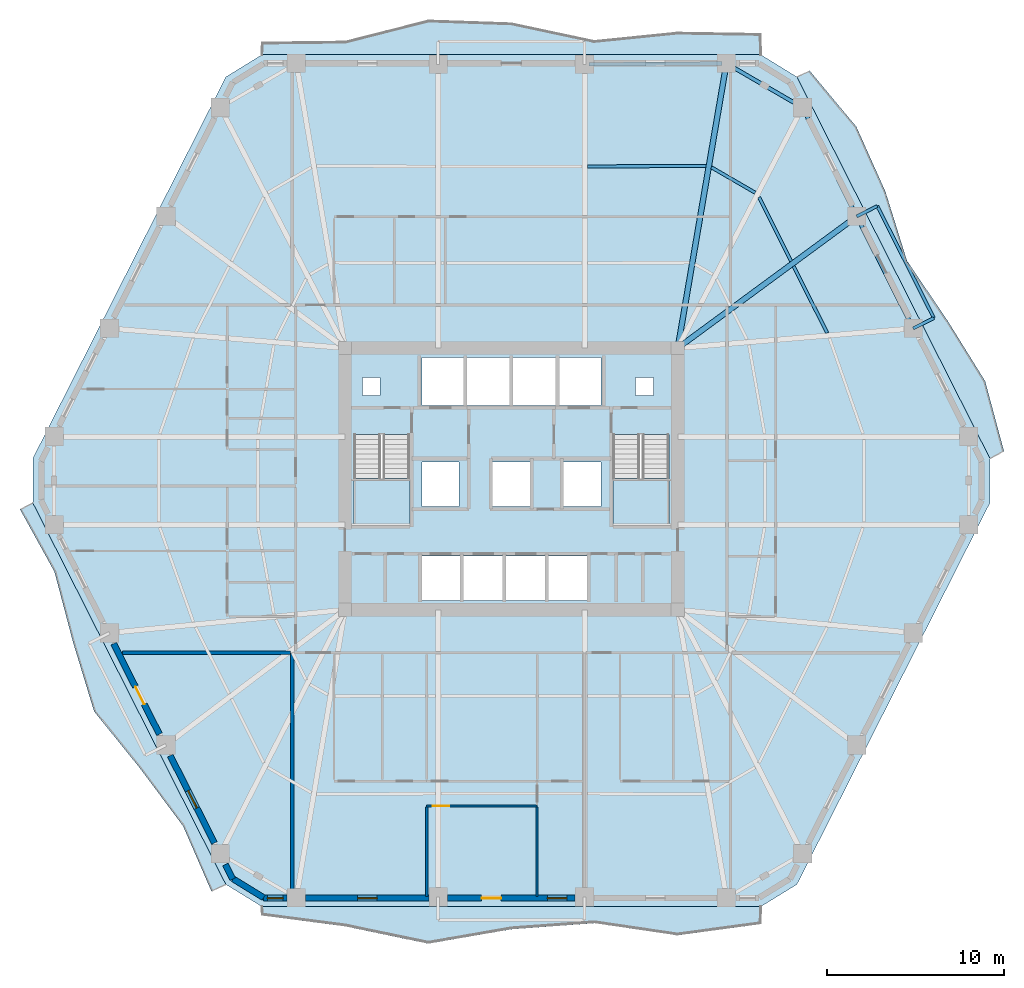
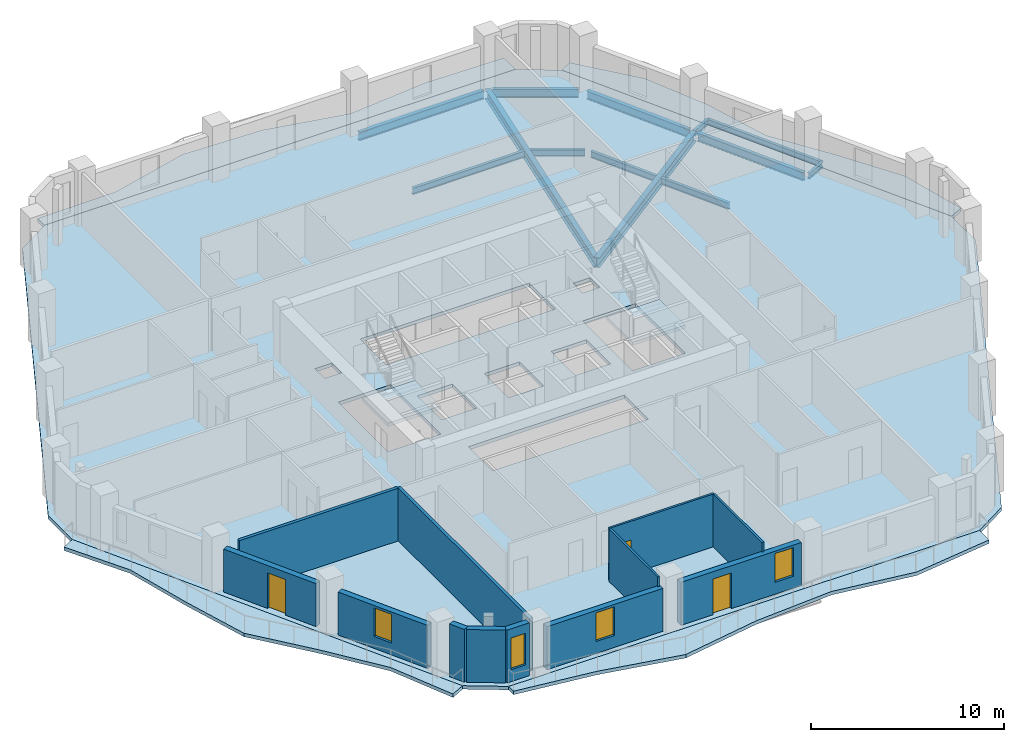
# One storey, part 3 of 11: 13 beams, 12 walls, 7 slabs, 4 windows, 3 doors, 7 openings, 2 elements without a shape of their own.
"""IFC4 building model written with IfcOpenShell, lengths in metres."""

from ifc_helpers import new_model, si_unit, direction, frame, frame_2d, origin, origin_2d, place, context, subcontext, project, spatial, polyline, rectangle, i_section, outline, extrude, material, layer, layer_set, material_profile, profile_set, type_object, element, fill, aggregate, save


model = new_model("IFC4")

# Units and contexts
model_context = context("Model", 3, precision=1e-05, world=origin(), true_north=direction((0.0, 1.0)))
body_context = subcontext(model_context, "Body", "Model", "MODEL_VIEW")
ifc_project = project(units=[si_unit("LENGTHUNIT", "METRE"), si_unit("AREAUNIT", "SQUARE_METRE"), si_unit("VOLUMEUNIT", "CUBIC_METRE"), si_unit("PLANEANGLEUNIT", "RADIAN"), si_unit("MASSUNIT", "GRAM", prefix="KILO")], contexts=[model_context])

# Site, building, storey
site_placement = place(None, origin())
site = spatial("IfcSite", under=ifc_project, at=site_placement, CompositionType="ELEMENT")
building_placement = place(site_placement, origin())
building = spatial("IfcBuilding", under=site, at=building_placement, Name="Cinnabar Lancet Tower", CompositionType="ELEMENT")
storey_placement = place(building_placement, frame((0.0, 0.0, 90.64990234375)))
storey = spatial("IfcBuildingStorey", under=building, at=storey_placement, Name="L23", CompositionType="ELEMENT", Elevation=90.64990234375)

# Beams
ifc_material_1 = material(Name="Structural steel S355", Category="steel")
ifc_material_profile_1 = material_profile(ifc_material_1, i_section(OverallWidth=0.177978515625, OverallDepth=0.406494140625, WebThickness=0.0078125, FlangeThickness=0.0126953125, FilletRadius=0.01025390625, at=origin_2d()), Name="UKB 406x178x60")
ifc_profile_set_1 = profile_set([ifc_material_profile_1], Name="Structural steel S355")
beam_type_1 = type_object("IfcBeamType", Name="STR-BM-JST-406", PredefinedType="JOIST", material=ifc_profile_set_1)
beam_1_placement = place(storey_placement, frame((50.194091796875, 34.1298828125, -0.4228515625), z_axis=(-0.450810882677, 0.892619486713, 0.0), x_axis=(-0.892619486713, -0.450810882677, 0.0)))
element("IfcBeam", 1, at=beam_1_placement, inside=storey, type_object=beam_type_1, Name="L23 Secondary Floor Joist 27", PredefinedType="JOIST", context=body_context, shape_type="SweptSolid", body=[
    extrude(i_section(OverallWidth=0.177978515625, OverallDepth=0.406494140625, WebThickness=0.0078125, FlangeThickness=0.0126953125, FilletRadius=0.01025390625, at=origin_2d()), origin(), (0.0, 0.0, 1.0), 4.20361328125),
])
beam_2_placement = place(storey_placement, frame((48.158935546875, 38.160888671875, -0.4228515625), z_axis=(-0.445714564636, 0.895175137541, 0.0), x_axis=(-0.895175137541, -0.445714564636, 0.0)))
element("IfcBeam", 2, at=beam_2_placement, inside=storey, type_object=beam_type_1, Name="L23 Secondary Floor Joist 29", PredefinedType="JOIST", context=body_context, shape_type="SweptSolid", body=[
    extrude(i_section(OverallWidth=0.177978515625, OverallDepth=0.406494140625, WebThickness=0.0078125, FlangeThickness=0.0126953125, FilletRadius=0.01025390625, at=origin_2d()), origin(), (0.0, 0.0, 1.0), 4.040771484375),
])
beam_3_placement = place(storey_placement, frame((46.139892578125, 42.02490234375, -0.4228515625), z_axis=(-0.865054959429, 0.501677104489, 0.0), x_axis=(-0.501677104489, -0.865054959429, 0.0)))
element("IfcBeam", 3, at=beam_3_placement, inside=storey, type_object=beam_type_1, Name="L23 Secondary Floor Joist 31", PredefinedType="JOIST", context=body_context, shape_type="SweptSolid", body=[
    extrude(i_section(OverallWidth=0.177978515625, OverallDepth=0.406494140625, WebThickness=0.0078125, FlangeThickness=0.0126953125, FilletRadius=0.01025390625, at=origin_2d()), origin(), (0.0, 0.0, 1.0), 2.852783203125),
])
beam_4_placement = place(storey_placement, frame((43.3740234375, 43.537109375, -0.4228515625), z_axis=(-0.999988425549, -0.004811316646, 0.0), x_axis=(0.004811316646, -0.999988425549, 0.0)))
element("IfcBeam", 4, at=beam_4_placement, inside=storey, type_object=beam_type_1, Name="L23 Secondary Floor Joist 33", PredefinedType="JOIST", context=body_context, shape_type="SweptSolid", body=[
    extrude(i_section(OverallWidth=0.177978515625, OverallDepth=0.406494140625, WebThickness=0.0078125, FlangeThickness=0.0126953125, FilletRadius=0.01025390625, at=origin_2d()), origin(), (0.0, 0.0, 1.0), 6.697998046875),
])
ifc_material_2 = material(Name="Structural steel S355", Category="steel")
ifc_material_profile_2 = material_profile(ifc_material_2, i_section(OverallWidth=0.209228515625, OverallDepth=0.533203125, WebThickness=0.010009765625, FlangeThickness=0.015625, FilletRadius=0.0126953125, at=origin_2d()), Name="UKB 533x210x92")
ifc_profile_set_2 = profile_set([ifc_material_profile_2], Name="Structural steel S355")
beam_type_2 = type_object("IfcBeamType", Name="STR-BM-SPN-533", PredefinedType="SPANDREL", material=ifc_profile_set_2)
beam_5_placement = place(storey_placement, frame((54.93310546875, 34.60302734375, -0.48681640625), z_axis=(-0.450703143926, 0.892673891214, 0.0), x_axis=(-0.892673891214, -0.450703143926, 0.0)))
element("IfcBeam", 5, at=beam_5_placement, inside=storey, type_object=beam_type_2, Name="L23 Perimeter Spandrel 10", PredefinedType="SPANDREL", context=body_context, shape_type="SweptSolid", body=[
    extrude(i_section(OverallWidth=0.209228515625, OverallDepth=0.533203125, WebThickness=0.010009765625, FlangeThickness=0.015625, FilletRadius=0.0126953125, at=origin_2d()), origin(), (0.0, 0.0, 1.0), 6.570068359375),
])
beam_6_placement = place(storey_placement, frame((51.748046875, 40.9150390625, -0.48681640625), z_axis=(-0.445953050023, 0.89505635419, 0.0), x_axis=(-0.89505635419, -0.445953050023, 0.0)))
element("IfcBeam", 6, at=beam_6_placement, inside=storey, type_object=beam_type_2, Name="L23 Perimeter Spandrel 11", PredefinedType="SPANDREL", context=body_context, shape_type="SweptSolid", body=[
    extrude(i_section(OverallWidth=0.209228515625, OverallDepth=0.533203125, WebThickness=0.010009765625, FlangeThickness=0.015625, FilletRadius=0.0126953125, at=origin_2d()), origin(), (0.0, 0.0, 1.0), 6.35498046875),
])
beam_7_placement = place(storey_placement, frame((48.5869140625, 46.951904296875, -0.48681640625), z_axis=(-0.865147238596, 0.501517951374, 0.0), x_axis=(-0.501517951374, -0.865147238596, 0.0)))
element("IfcBeam", 7, at=beam_7_placement, inside=storey, type_object=beam_type_2, Name="L23 Perimeter Spandrel 12", PredefinedType="SPANDREL", context=body_context, shape_type="SweptSolid", body=[
    extrude(i_section(OverallWidth=0.209228515625, OverallDepth=0.533203125, WebThickness=0.010009765625, FlangeThickness=0.015625, FilletRadius=0.0126953125, at=origin_2d()), origin(), (0.0, 0.0, 1.0), 4.454833984375),
])
beam_8_placement = place(storey_placement, frame((44.26708984375, 49.30908203125, -0.48681640625), z_axis=(-0.99997856757, -0.006547090947, 0.0), x_axis=(0.006547090947, -0.99997856757, 0.0)))
element("IfcBeam", 8, at=beam_8_placement, inside=storey, type_object=beam_type_2, Name="L23 Perimeter Spandrel 13", PredefinedType="SPANDREL", context=body_context, shape_type="SweptSolid", body=[
    extrude(i_section(OverallWidth=0.209228515625, OverallDepth=0.533203125, WebThickness=0.010009765625, FlangeThickness=0.015625, FilletRadius=0.0126953125, at=origin_2d()), origin(), (0.0, 0.0, 1.0), 7.495361328125),
])
ifc_material_3 = material(Name="Structural steel S355", Category="steel")
ifc_material_profile_3 = material_profile(ifc_material_3, i_section(OverallWidth=0.30712890625, OverallDepth=0.6201171875, WebThickness=0.01416015625, FlangeThickness=0.023681640625, FilletRadius=0.0166015625, at=origin_2d()), Name="UKB 610x305x179")
ifc_profile_set_3 = profile_set([ifc_material_profile_3], Name="Structural steel S355")
beam_type_3 = type_object("IfcBeamType", Name="STR-BM-UKB610-179", PredefinedType="BEAM", material=ifc_profile_set_3)
beam_9_placement = place(storey_placement, frame((51.85888671875, 40.69091796875, -0.52978515625), z_axis=(-0.805600633978, -0.592458959367, 0.0), x_axis=(0.592458959367, -0.805600633978, 0.0)))
element("IfcBeam", 9, at=beam_9_placement, inside=storey, type_object=beam_type_3, Name="L23 Corner Collector Girder 3", PredefinedType="BEAM", context=body_context, shape_type="SweptSolid", body=[
    extrude(i_section(OverallWidth=0.30712890625, OverallDepth=0.6201171875, WebThickness=0.01416015625, FlangeThickness=0.023681640625, FilletRadius=0.0166015625, at=origin_2d()), origin(), (0.0, 0.0, 1.0), 12.517333984375),
])
beam_10_placement = place(storey_placement, frame((44.51708984375, 49.31103515625, -0.52978515625), z_axis=(-0.168553945835, -0.985692430398, 0.0), x_axis=(0.985692430398, -0.168553945835, 0.0)))
element("IfcBeam", 10, at=beam_10_placement, inside=storey, type_object=beam_type_3, Name="L23 Primary Floor Girder 13", PredefinedType="BEAM", context=body_context, shape_type="SweptSolid", body=[
    extrude(i_section(OverallWidth=0.30712890625, OverallDepth=0.6201171875, WebThickness=0.01416015625, FlangeThickness=0.023681640625, FilletRadius=0.0166015625, at=origin_2d()), origin(), (0.0, 0.0, 1.0), 16.268798828125),
])
ifc_material_4 = material(Name="Structural steel S355", Category="steel")
ifc_material_profile_4 = material_profile(ifc_material_4, i_section(OverallWidth=0.17138671875, OverallDepth=0.35498046875, WebThickness=0.00732421875, FlangeThickness=0.011474609375, FilletRadius=0.01025390625, at=origin_2d()), Name="UKB 356x171x51")
ifc_profile_set_4 = profile_set([ifc_material_profile_4], Name="Structural steel S355")
beam_type_4 = type_object("IfcBeamType", Name="STR-BM-WAV-OUT", PredefinedType="BEAM", material=ifc_profile_set_4)
for number, where, z_axis, x_axis, name in (
    (11, (55.0458984375, 34.3798828125, -0.39697265625), (0.892238560088, 0.451564338597, 0.0), (-0.451564338597, 0.892238560088, 0.0), "L23 Face 3 Balcony Outlooker A"),
    (12, (51.85888671875, 40.69091796875, -0.39697265625), (0.892238560088, 0.451564338597, 0.0), (-0.451564338597, 0.892238560088, 0.0), "L23 Face 3 Balcony Outlooker B"),
):
    element("IfcBeam", number, at=place(storey_placement, frame(where, z_axis=z_axis, x_axis=x_axis)), inside=storey, type_object=beam_type_4, Name=name, PredefinedType="BEAM", context=body_context, shape_type="SweptSolid", body=[
        extrude(i_section(OverallWidth=0.17138671875, OverallDepth=0.35498046875, WebThickness=0.00732421875, FlangeThickness=0.011474609375, FilletRadius=0.01025390625, at=origin_2d()), origin(), (0.0, 0.0, 1.0), 1.30029296875),
    ])
ifc_material_5 = material(Name="Structural steel S355", Category="steel")
ifc_material_profile_5 = material_profile(ifc_material_5, i_section(OverallWidth=0.17138671875, OverallDepth=0.35498046875, WebThickness=0.00732421875, FlangeThickness=0.011474609375, FilletRadius=0.01025390625, at=origin_2d()), Name="UKB 356x171x51")
ifc_profile_set_5 = profile_set([ifc_material_profile_5], Name="Structural steel S355")
beam_type_5 = type_object("IfcBeamType", Name="STR-BM-WAV-TRIM", PredefinedType="SPANDREL", material=ifc_profile_set_5)
beam_11_placement = place(storey_placement, frame((56.2060546875, 34.967041015625, -0.39697265625), z_axis=(-0.450773692627, 0.892638268301, 0.0), x_axis=(-0.892638268301, -0.450773692627, 0.0)))
element("IfcBeam", 13, at=beam_11_placement, inside=storey, type_object=beam_type_5, Name="L23 Face 3 Balcony Edge Trimmer", PredefinedType="SPANDREL", context=body_context, shape_type="SweptSolid", body=[
    extrude(i_section(OverallWidth=0.17138671875, OverallDepth=0.35498046875, WebThickness=0.00732421875, FlangeThickness=0.011474609375, FilletRadius=0.01025390625, at=origin_2d()), origin(), (0.0, 0.0, 1.0), 7.070068359375),
])

# Stair, slab
ifc_material_6 = material(Name="Concrete C40/50", Category="concrete")
stair_type = type_object("IfcStairType", Name="ST-CORE", PredefinedType="HALF_TURN_STAIR", material=ifc_material_6)
stair_1_placement = place(storey_placement, origin())
stair_1 = element("IfcStair", 14, at=stair_1_placement, inside=storey, type_object=stair_type, Name="L23 ST-1", PredefinedType="HALF_TURN_STAIR")
ifc_material_7 = material(Name="Concrete C40/50", Category="concrete")
ifc_layer_1 = layer(ifc_material_7, 0.199951171875)
ifc_layer_set_1 = layer_set([ifc_layer_1], Name="Concrete C40/50")
slab_type_1 = type_object("IfcSlabType", Name="LANDING-CORE", PredefinedType="LANDING", material=ifc_layer_set_1)
slab_1_placement = place(storey_placement, frame((0.0, 0.0, 1.5751953125)))
slab_1 = element("IfcSlab", 15, at=slab_1_placement, type_object=slab_type_1, Name="ST-1 landing 1", PredefinedType="LANDING", context=body_context, shape_type="SweptSolid", body=[
    extrude(outline(polyline([(23.52490234375, 25.925048828125), (23.52490234375, 23.25), (26.675048828125, 23.25), (26.675048828125, 25.925048828125), (23.52490234375, 25.925048828125)])), origin(), (0.0, 0.0, 1.0), 0.199951171875),
])
aggregate(stair_1, [slab_1])

stair_2_placement = place(storey_placement, origin())
stair_2 = element("IfcStair", 16, at=stair_2_placement, inside=storey, type_object=stair_type, Name="L23 ST-2", PredefinedType="HALF_TURN_STAIR")
slab_2_placement = place(storey_placement, frame((0.0, 0.0, 1.5751953125)))
slab_2 = element("IfcSlab", 17, at=slab_2_placement, type_object=slab_type_1, Name="ST-2 landing 1", PredefinedType="LANDING", context=body_context, shape_type="SweptSolid", body=[
    extrude(outline(polyline([(38.125, 25.925048828125), (38.125, 23.25), (41.27490234375, 23.25), (41.27490234375, 25.925048828125), (38.125, 25.925048828125)])), origin(), (0.0, 0.0, 1.0), 0.199951171875),
])
aggregate(stair_2, [slab_2])

# Slabs
ifc_material_8 = material(Name="Concrete C40/50", Category="concrete")
ifc_layer_2 = layer(ifc_material_8, 0.219970703125)
ifc_layer_set_2 = layer_set([ifc_layer_2], Name="Concrete C40/50")
slab_type_2 = type_object("IfcSlabType", Name="STR-SLB-FLR-220", PredefinedType="FLOOR", material=ifc_layer_set_2)
slab_3_placement = place(storey_placement, frame((0.0, 0.0, -0.219970703125)))
element("IfcSlab", 18, at=slab_3_placement, inside=storey, type_object=slab_type_2, Name="L23 Structural Floor Slab", PredefinedType="FLOOR", context=body_context, shape_type="SweptSolid", body=[
    extrude(outline(polyline([(16.31201171875, 3.049072265625), (18.343994140625, 1.800048828125), (46.4560546875, 1.800048828125), (48.488037109375, 3.049072265625), (59.367919921875, 24.551025390625), (59.367919921875, 27.049072265625), (48.488037109375, 48.551025390625), (46.4560546875, 49.800048828125), (18.343994140625, 49.800048828125), (16.31201171875, 48.551025390625), (5.431884765625, 27.049072265625), (5.431884765625, 24.551025390625), (16.31201171875, 3.049072265625)]), holes=[polyline([(23.52490234375, 23.25), (26.675048828125, 23.25), (26.675048828125, 28.3994140625), (23.52490234375, 28.3994140625), (23.52490234375, 23.25)]), polyline([(38.125, 23.25), (41.27490234375, 23.25), (41.27490234375, 28.3994140625), (38.125, 28.3994140625), (38.125, 23.25)]), polyline([(27.35009765625, 30.050048828125), (37.449951171875, 30.050048828125), (37.449951171875, 32.75), (27.35009765625, 32.75), (27.35009765625, 30.050048828125)]), polyline([(27.35009765625, 19.050048828125), (36.64990234375, 19.050048828125), (36.64990234375, 21.550048828125), (27.35009765625, 21.550048828125), (27.35009765625, 19.050048828125)]), polyline([(27.35009765625, 24.35009765625), (29.449951171875, 24.35009765625), (29.449951171875, 26.85009765625), (27.35009765625, 26.85009765625), (27.35009765625, 24.35009765625)]), polyline([(35.35009765625, 24.35009765625), (37.449951171875, 24.35009765625), (37.449951171875, 26.85009765625), (35.35009765625, 26.85009765625), (35.35009765625, 24.35009765625)]), polyline([(31.35009765625, 24.35009765625), (33.449951171875, 24.35009765625), (33.449951171875, 26.85009765625), (31.35009765625, 26.85009765625), (31.35009765625, 24.35009765625)]), polyline([(24.0, 30.60009765625), (25.0, 30.60009765625), (25.0, 31.60009765625), (24.0, 31.60009765625), (24.0, 30.60009765625)]), polyline([(39.39990234375, 30.60009765625), (40.39990234375, 30.60009765625), (40.39990234375, 31.60009765625), (39.39990234375, 31.60009765625), (39.39990234375, 30.60009765625)])]), origin(), (0.0, 0.0, 1.0), 0.219970703125),
])
ifc_material_9 = material(Name="Concrete C45/55", Category="concrete")
ifc_layer_3 = layer(ifc_material_9, 0.219970703125)
ifc_layer_set_3 = layer_set([ifc_layer_3], Name="Concrete C45/55")
slab_type_3 = type_object("IfcSlabType", Name="STR-SLB-WAV-220", PredefinedType="FLOOR", material=ifc_layer_set_3)
slab_4_placement = place(storey_placement, frame((0.0, 0.0, -0.219970703125)))
element("IfcSlab", 19, at=slab_4_placement, inside=storey, type_object=slab_type_3, Name="L23 Face 1 Undulating Wave Balcony Slab", PredefinedType="FLOOR", context=body_context, shape_type="SweptSolid", body=[
    extrude(outline(polyline([(18.343994140625, 1.800048828125), (18.343994140625, 1.300048828125), (23.029052734375, 0.68701171875), (27.715087890625, -0.2890625), (32.39990234375, 0.52197265625), (37.0849609375, 0.865966796875), (41.77099609375, 0.180908203125), (46.4560546875, 0.81494140625), (46.4560546875, 1.800048828125), (18.343994140625, 1.800048828125)])), origin(), (0.0, 0.0, 1.0), 0.219970703125),
])
slab_5_placement = place(storey_placement, frame((0.0, 0.0, -0.219970703125)))
element("IfcSlab", 20, at=slab_5_placement, inside=storey, type_object=slab_type_3, Name="L23 Face 3 Undulating Wave Balcony Slab", PredefinedType="FLOOR", context=body_context, shape_type="SweptSolid", body=[
    extrude(outline(polyline([(59.367919921875, 27.049072265625), (60.157958984375, 27.448974609375), (59.092041015625, 31.410888671875), (56.964111328125, 34.8349609375), (54.69091796875, 38.18603515625), (53.47998046875, 42.073974609375), (51.8369140625, 45.743896484375), (49.195068359375, 48.908935546875), (48.488037109375, 48.551025390625), (59.367919921875, 27.049072265625)])), origin(), (0.0, 0.0, 1.0), 0.219970703125),
])
slab_6_placement = place(storey_placement, frame((0.0, 0.0, -0.219970703125)))
element("IfcSlab", 21, at=slab_6_placement, inside=storey, type_object=slab_type_3, Name="L23 Face 4 Undulating Wave Balcony Slab", PredefinedType="FLOOR", context=body_context, shape_type="SweptSolid", body=[
    extrude(outline(polyline([(46.4560546875, 49.800048828125), (46.4560546875, 50.991943359375), (41.77099609375, 51.072021484375), (37.0849609375, 50.60302734375), (32.39990234375, 51.60009765625), (27.715087890625, 51.758056640625), (23.029052734375, 50.56591796875), (18.343994140625, 50.508056640625), (18.343994140625, 49.800048828125), (46.4560546875, 49.800048828125)])), origin(), (0.0, 0.0, 1.0), 0.219970703125),
])
slab_7_placement = place(storey_placement, frame((0.0, 0.0, -0.219970703125)))
element("IfcSlab", 22, at=slab_7_placement, inside=storey, type_object=slab_type_3, Name="L23 Face 6 Undulating Wave Balcony Slab", PredefinedType="FLOOR", context=body_context, shape_type="SweptSolid", body=[
    extrude(outline(polyline([(5.431884765625, 24.551025390625), (4.7119140625, 24.18701171875), (6.655029296875, 20.66796875), (7.700927734375, 16.697021484375), (8.888916015625, 12.797119140625), (11.469970703125, 9.60107421875), (13.906005859375, 6.3330078125), (15.509033203125, 2.64208984375), (16.31201171875, 3.049072265625), (5.431884765625, 24.551025390625)])), origin(), (0.0, 0.0, 1.0), 0.219970703125),
])

# Walls
ifc_material_10 = material(Name="Fire-rated twin-frame acoustic drywall", Category="gypsum")
ifc_layer_4 = layer(ifc_material_10, 0.179931640625)
ifc_layer_set_4 = layer_set([ifc_layer_4], Name="Fire-rated twin-frame acoustic drywall")
wall_type_1 = type_object("IfcWallType", Name="ARC-WL-PARTY-180", PredefinedType="PARTITIONING", material=ifc_layer_set_4)
wall_1_placement = place(storey_placement, frame((20.050048828125, 2.455078125, 0.0), z_axis=(0.0, 0.0, 1.0), x_axis=(0.0, 1.0, 0.0)))
element("IfcWall", 23, at=wall_1_placement, inside=storey, type_object=wall_type_1, Name="PW-L23-SPTY-200", PredefinedType="PARTITIONING", context=body_context, shape_type="SweptSolid", body=[
    extrude(rectangle(XDim=13.64501953125, YDim=0.179931640625, at=frame_2d((6.822509765625, 0.0))), origin(), (0.0, 0.0, 1.0), 3.330078125),
])
wall_2_placement = place(storey_placement, frame((10.488037109375, 16.10009765625, 0.0), z_axis=(0.0, 0.0, 1.0), x_axis=(1.0, 0.0, 0.0)))
element("IfcWall", 24, at=wall_2_placement, inside=storey, type_object=wall_type_1, Name="PW-L23-WSB", PredefinedType="PARTITIONING", context=body_context, shape_type="SweptSolid", body=[
    extrude(rectangle(XDim=9.467041015625, YDim=0.179931640625, at=frame_2d((4.7333984375, 0.0))), origin(), (0.0, 0.0, 1.0), 3.330078125),
])
ifc_material_11 = material(Name="Gypsum plasterboard stud partition", Category="gypsum")
ifc_layer_5 = layer(ifc_material_11, 0.125)
ifc_layer_set_5 = layer_set([ifc_layer_5], Name="Gypsum plasterboard stud partition")
wall_type_2 = type_object("IfcWallType", Name="ARC-WL-UNIT-125", PredefinedType="PARTITIONING", material=ifc_layer_set_5)
wall_3_placement = place(storey_placement, frame((27.626953125, 2.364990234375, 0.0), z_axis=(0.0, 0.0, 1.0), x_axis=(0.0, 1.0, 0.0)))
element("IfcWall", 25, at=wall_3_placement, inside=storey, type_object=wall_type_2, Name="UW-L23-S01-BD2W", PredefinedType="PARTITIONING", context=body_context, shape_type="SweptSolid", body=[
    extrude(rectangle(XDim=5.0380859375, YDim=0.125, at=frame_2d((2.51904296875, 0.0))), origin(), (0.0, 0.0, 1.0), 3.330078125),
])

# Wall, opening, door
wall_4_placement = place(storey_placement, frame((27.626953125, 7.468017578125, 0.0), z_axis=(0.0, 0.0, 1.0), x_axis=(1.0, 0.0, 0.0)))
wall_4 = element("IfcWall", 26, at=wall_4_placement, inside=storey, type_object=wall_type_2, Name="UW-L23-S01-HLN", PredefinedType="PARTITIONING", context=body_context, shape_type="SweptSolid", body=[
    extrude(rectangle(XDim=6.22314453125, YDim=0.125, at=frame_2d((3.111572265625, 0.0))), origin(), (0.0, 0.0, 1.0), 3.330078125),
])
opening_1_placement = place(wall_4_placement, frame((0.35009765625, 0.0, 0.0)))
opening_1 = element("IfcOpeningElement", 27, at=opening_1_placement, cuts=wall_4, Name="Opening RD-01", PredefinedType="OPENING", context=body_context, shape_type="SweptSolid", body=[
    extrude(rectangle(XDim=0.919921875, YDim=2.14990234375, at=frame_2d((0.4599609375, 1.074951171875))), frame((0.0, 0.072509765625, 0.0), z_axis=(0.0, -1.0, 0.0), x_axis=(1.0, 0.0, 0.0)), (0.0, 0.0, 1.0), 0.14501953125),
])
ifc_material_12 = material(Name="Engineered timber bedroom door", Category="wood")
door_type_1 = type_object("IfcDoorType", Name="ARC-DR-ROOM", OperationType="NOTDEFINED", PredefinedType="DOOR", material=ifc_material_12)
door_1_placement = place(opening_1_placement, origin())
door_1 = element("IfcDoor", 28, at=door_1_placement, inside=storey, type_object=door_type_1, Name="DR-L23-S01-BD2", OperationType="SINGLE_SWING_RIGHT", OverallHeight=2.14990234375, OverallWidth=0.919921875, PredefinedType="DOOR", context=body_context, shape_type="SweptSolid", body=[
    extrude(rectangle(XDim=0.919921875, YDim=2.14990234375, at=frame_2d((0.4599609375, 1.074951171875))), frame((0.0, 0.02490234375, 0.0), z_axis=(0.0, -1.0, 0.0), x_axis=(1.0, 0.0, 0.0)), (0.0, 0.0, 1.0), 0.050048828125),
])
fill(opening_1, door_1)

# Walls
wall_5_placement = place(storey_placement, frame((33.85009765625, 2.364990234375, 0.0), z_axis=(0.0, 0.0, 1.0), x_axis=(0.0, 1.0, 0.0)))
element("IfcWall", 29, at=wall_5_placement, inside=storey, type_object=wall_type_2, Name="UW-L23-S01-MB2W", PredefinedType="PARTITIONING", context=body_context, shape_type="SweptSolid", body=[
    extrude(rectangle(XDim=5.0380859375, YDim=0.125, at=frame_2d((2.51904296875, 0.0))), origin(), (0.0, 0.0, 1.0), 3.330078125),
])
ifc_material_13 = material(Name="Cinnabar red clay brick", Category="masonry")
ifc_layer_6 = layer(ifc_material_13, 0.340087890625)
ifc_layer_set_6 = layer_set([ifc_layer_6], Name="Cinnabar red clay brick")
wall_type_3 = type_object("IfcWallType", Name="ENV-WL-BRK-RED-340", PredefinedType="STANDARD", material=ifc_layer_set_6)
wall_6_placement = place(storey_placement, frame((16.719970703125, 3.362060546875, 0.0), z_axis=(0.0, 0.0, 1.0), x_axis=(0.851816122478, -0.523840904748, 0.0)))
element("IfcWall", 30, at=wall_6_placement, inside=storey, type_object=wall_type_3, Name="L23 Chamfered Corner Brick Pier 1.1", PredefinedType="STANDARD", context=body_context, shape_type="SweptSolid", body=[
    extrude(rectangle(XDim=2.01806640625, YDim=0.340087890625, at=frame_2d((1.009033203125, 0.0))), origin(), (0.0, 0.0, 1.0), 3.330078125),
])

# Wall, opening, window
wall_7_placement = place(storey_placement, frame((18.43408203125, 2.280029296875, 0.0), z_axis=(0.0, 0.0, 1.0), x_axis=(1.0, 0.0, 0.0)))
wall_7 = element("IfcWall", 31, at=wall_7_placement, inside=storey, type_object=wall_type_3, Name="L23 Face 1 Masonry Bay Wall 1", PredefinedType="STANDARD", context=body_context, shape_type="SweptSolid", body=[
    extrude(rectangle(XDim=1.31982421875, YDim=0.340087890625, at=frame_2d((0.659912109375, 0.0))), origin(), (0.0, 0.0, 1.0), 3.330078125),
])
opening_2_placement = place(wall_7_placement, frame((0.219970703125, 0.0, 0.75)))
opening_2 = element("IfcOpeningElement", 32, at=opening_2_placement, cuts=wall_7, Name="Opening WN-04", PredefinedType="OPENING", context=body_context, shape_type="SweptSolid", body=[
    extrude(rectangle(XDim=0.8798828125, YDim=2.0, at=frame_2d((0.43994140625, 1.0))), frame((0.0, 0.179931640625, 0.0), z_axis=(0.0, -1.0, 0.0), x_axis=(1.0, 0.0, 0.0)), (0.0, 0.0, 1.0), 0.360107421875),
])
ifc_material_14 = material(Name="Thermally broken bronze-anodized aluminium tall lancet window", Category="aluminium")
window_type = type_object("IfcWindowType", Name="ENV-WN-LANCET-1100", PartitioningType="SINGLE_PANEL", PredefinedType="WINDOW", material=ifc_material_14)
window_1_placement = place(opening_2_placement, origin())
window_1 = element("IfcWindow", 33, at=window_1_placement, inside=storey, type_object=window_type, Name="L23 Split-Bay Gothic Lancet Window 72", OverallHeight=2.0, OverallWidth=0.8798828125, PartitioningType="SINGLE_PANEL", PredefinedType="WINDOW", context=body_context, shape_type="SweptSolid", body=[
    extrude(rectangle(XDim=0.8798828125, YDim=2.0, at=frame_2d((0.43994140625, 1.0))), frame((0.0, 0.030029296875, 0.0), z_axis=(0.0, -1.0, 0.0), x_axis=(1.0, 0.0, 0.0)), (0.0, 0.0, 1.0), 0.06005859375),
])
fill(opening_2, window_1)

wall_8_placement = place(storey_placement, frame((20.81201171875, 2.280029296875, 0.0), z_axis=(0.0, 0.0, 1.0), x_axis=(1.0, 0.0, 0.0)))
wall_8 = element("IfcWall", 34, at=wall_8_placement, inside=storey, type_object=wall_type_3, Name="L23 Face 1 Masonry Bay Wall 2", PredefinedType="STANDARD", context=body_context, shape_type="SweptSolid", body=[
    extrude(rectangle(XDim=6.93701171875, YDim=0.340087890625, at=frame_2d((3.468505859375, 0.0))), origin(), (0.0, 0.0, 1.0), 2.712158203125),
])
opening_3_placement = place(wall_8_placement, frame((2.91796875, 0.0, 0.75)))
opening_3 = element("IfcOpeningElement", 35, at=opening_3_placement, cuts=wall_8, Name="Opening WN-04", PredefinedType="OPENING", context=body_context, shape_type="SweptSolid", body=[
    extrude(rectangle(XDim=1.10009765625, YDim=1.81201171875, at=frame_2d((0.550048828125, 0.906005859375))), frame((0.0, 0.179931640625, 0.0), z_axis=(0.0, -1.0, 0.0), x_axis=(1.0, 0.0, 0.0)), (0.0, 0.0, 1.0), 0.360107421875),
])
window_2_placement = place(opening_3_placement, origin())
window_2 = element("IfcWindow", 36, at=window_2_placement, inside=storey, type_object=window_type, Name="L23 Face 1 Gothic Lancet Window 2", OverallHeight=1.81201171875, OverallWidth=1.10009765625, PartitioningType="SINGLE_PANEL", PredefinedType="WINDOW", context=body_context, shape_type="SweptSolid", body=[
    extrude(rectangle(XDim=1.10009765625, YDim=1.81201171875, at=frame_2d((0.550048828125, 0.906005859375))), frame((0.0, 0.030029296875, 0.0), z_axis=(0.0, -1.0, 0.0), x_axis=(1.0, 0.0, 0.0)), (0.0, 0.0, 1.0), 0.06005859375),
])
fill(opening_3, window_2)

# Wall, openings, door, window
wall_9_placement = place(storey_placement, frame((28.806884765625, 2.280029296875, 0.0), z_axis=(0.0, 0.0, 1.0), x_axis=(1.0, 0.0, 0.0)))
wall_9 = element("IfcWall", 37, at=wall_9_placement, inside=storey, type_object=wall_type_3, Name="L23 Face 1 Masonry Bay Wall 3", PredefinedType="STANDARD", context=body_context, shape_type="SweptSolid", body=[
    extrude(rectangle(XDim=7.18603515625, YDim=0.340087890625, at=frame_2d((3.593017578125, 0.0))), origin(), (0.0, 0.0, 1.0), 2.712158203125),
])
opening_4_placement = place(wall_9_placement, frame((1.919921875, 0.0, 0.0)))
opening_4 = element("IfcOpeningElement", 38, at=opening_4_placement, cuts=wall_9, Name="Opening TD-01", PredefinedType="OPENING", context=body_context, shape_type="SweptSolid", body=[
    extrude(rectangle(XDim=1.10009765625, YDim=2.25, at=frame_2d((0.550048828125, 1.125))), frame((0.0, 0.179931640625, 0.0), z_axis=(0.0, -1.0, 0.0), x_axis=(1.0, 0.0, 0.0)), (0.0, 0.0, 1.0), 0.360107421875),
])
opening_5_placement = place(wall_9_placement, frame((5.62109375, 0.0, 0.75)))
opening_5 = element("IfcOpeningElement", 39, at=opening_5_placement, cuts=wall_9, Name="Opening WN-04", PredefinedType="OPENING", context=body_context, shape_type="SweptSolid", body=[
    extrude(rectangle(XDim=1.10009765625, YDim=1.81201171875, at=frame_2d((0.550048828125, 0.906005859375))), frame((0.0, 0.179931640625, 0.0), z_axis=(0.0, -1.0, 0.0), x_axis=(1.0, 0.0, 0.0)), (0.0, 0.0, 1.0), 0.360107421875),
])
ifc_material_15 = material(Name="Thermally broken low-E glazed balcony terrace door", Category="wood")
door_type_2 = type_object("IfcDoorType", Name="ARC-DR-BALC", OperationType="NOTDEFINED", PredefinedType="DOOR", material=ifc_material_15)
door_2_placement = place(opening_4_placement, origin())
door_2 = element("IfcDoor", 40, at=door_2_placement, inside=storey, type_object=door_type_2, Name="L23 Face 1 Glazed Terrace Door", OperationType="SINGLE_SWING_RIGHT", OverallHeight=2.25, OverallWidth=1.10009765625, PredefinedType="DOOR", context=body_context, shape_type="SweptSolid", body=[
    extrude(rectangle(XDim=1.10009765625, YDim=2.25, at=frame_2d((0.550048828125, 1.125))), frame((0.0, 0.02490234375, 0.0), z_axis=(0.0, -1.0, 0.0), x_axis=(1.0, 0.0, 0.0)), (0.0, 0.0, 1.0), 0.050048828125),
])
fill(opening_4, door_2)
window_3_placement = place(opening_5_placement, origin())
window_3 = element("IfcWindow", 41, at=window_3_placement, inside=storey, type_object=window_type, Name="L23 Split-Bay Gothic Lancet Window 73", OverallHeight=1.81201171875, OverallWidth=1.10009765625, PartitioningType="SINGLE_PANEL", PredefinedType="WINDOW", context=body_context, shape_type="SweptSolid", body=[
    extrude(rectangle(XDim=1.10009765625, YDim=1.81201171875, at=frame_2d((0.550048828125, 0.906005859375))), frame((0.0, 0.030029296875, 0.0), z_axis=(0.0, -1.0, 0.0), x_axis=(1.0, 0.0, 0.0)), (0.0, 0.0, 1.0), 0.06005859375),
])
fill(opening_5, window_3)

# Wall, opening, door
wall_10_placement = place(storey_placement, frame((9.986083984375, 16.614013671875, 0.0), z_axis=(0.0, 0.0, 1.0), x_axis=(0.45158267371, -0.892229280401, 0.0)))
wall_10 = element("IfcWall", 42, at=wall_10_placement, inside=storey, type_object=wall_type_3, Name="L23 Face 6 Masonry Bay Wall 3", PredefinedType="STANDARD", context=body_context, shape_type="SweptSolid", body=[
    extrude(rectangle(XDim=5.715087890625, YDim=0.340087890625, at=frame_2d((2.857421875, 0.0))), origin(), (0.0, 0.0, 1.0), 2.712158203125),
])
opening_6_placement = place(wall_10_placement, frame((2.720947265625, 0.0, 0.0)))
opening_6 = element("IfcOpeningElement", 43, at=opening_6_placement, cuts=wall_10, Name="Opening TD-01", PredefinedType="OPENING", context=body_context, shape_type="SweptSolid", body=[
    extrude(rectangle(XDim=1.10009765625, YDim=2.25, at=frame_2d((0.550048828125, 1.125))), frame((0.0, 0.179931640625, 0.0), z_axis=(0.0, -1.0, 0.0), x_axis=(1.0, 0.0, 0.0)), (0.0, 0.0, 1.0), 0.360107421875),
])
door_3_placement = place(opening_6_placement, origin())
door_3 = element("IfcDoor", 44, at=door_3_placement, inside=storey, type_object=door_type_2, Name="L23 Face 6 Glazed Terrace Door", OperationType="SINGLE_SWING_LEFT", OverallHeight=2.25, OverallWidth=1.10009765625, PredefinedType="DOOR", context=body_context, shape_type="SweptSolid", body=[
    extrude(rectangle(XDim=1.10009765625, YDim=2.25, at=frame_2d((0.550048828125, 1.125))), frame((0.0, 0.02490234375, 0.0), z_axis=(0.0, -1.0, 0.0), x_axis=(1.0, 0.0, 0.0)), (0.0, 0.0, 1.0), 0.050048828125),
])
fill(opening_6, door_3)

# Wall, opening, window
wall_11_placement = place(storey_placement, frame((13.178955078125, 10.302978515625, 0.0), z_axis=(0.0, 0.0, 1.0), x_axis=(0.451719795315, -0.892159866011, 0.0)))
wall_11 = element("IfcWall", 45, at=wall_11_placement, inside=storey, type_object=wall_type_3, Name="L23 Face 6 Masonry Bay Wall 4", PredefinedType="STANDARD", context=body_context, shape_type="SweptSolid", body=[
    extrude(rectangle(XDim=5.519287109375, YDim=0.340087890625, at=frame_2d((2.759765625, 0.0))), origin(), (0.0, 0.0, 1.0), 2.712158203125),
])
opening_7_placement = place(wall_11_placement, frame((2.2099609375, 0.0, 0.75)))
opening_7 = element("IfcOpeningElement", 46, at=opening_7_placement, cuts=wall_11, Name="Opening WN-04", PredefinedType="OPENING", context=body_context, shape_type="SweptSolid", body=[
    extrude(rectangle(XDim=1.10009765625, YDim=1.81201171875, at=frame_2d((0.550048828125, 0.906005859375))), frame((0.0, 0.179931640625, 0.0), z_axis=(0.0, -1.0, 0.0), x_axis=(1.0, 0.0, 0.0)), (0.0, 0.0, 1.0), 0.360107421875),
])
window_4_placement = place(opening_7_placement, origin())
window_4 = element("IfcWindow", 47, at=window_4_placement, inside=storey, type_object=window_type, Name="L23 Face 6 Gothic Lancet Window 4", OverallHeight=1.81201171875, OverallWidth=1.10009765625, PartitioningType="SINGLE_PANEL", PredefinedType="WINDOW", context=body_context, shape_type="SweptSolid", body=[
    extrude(rectangle(XDim=1.10009765625, YDim=1.81201171875, at=frame_2d((0.550048828125, 0.906005859375))), frame((0.0, 0.030029296875, 0.0), z_axis=(0.0, -1.0, 0.0), x_axis=(1.0, 0.0, 0.0)), (0.0, 0.0, 1.0), 0.06005859375),
])
fill(opening_7, window_4)

# Wall
wall_12_placement = place(storey_placement, frame((16.283935546875, 4.1669921875, 0.0), z_axis=(0.0, 0.0, 1.0), x_axis=(0.451981678291, -0.892027220711, 0.0)))
element("IfcWall", 48, at=wall_12_placement, inside=storey, type_object=wall_type_3, Name="L23 Face 6 Masonry Bay Wall 5", PredefinedType="STANDARD", context=body_context, shape_type="SweptSolid", body=[
    extrude(rectangle(XDim=0.92041015625, YDim=0.340087890625, at=frame_2d((0.460205078125, 0.0))), origin(), (0.0, 0.0, 1.0), 3.330078125),
])

save(model, "model.ifc")
